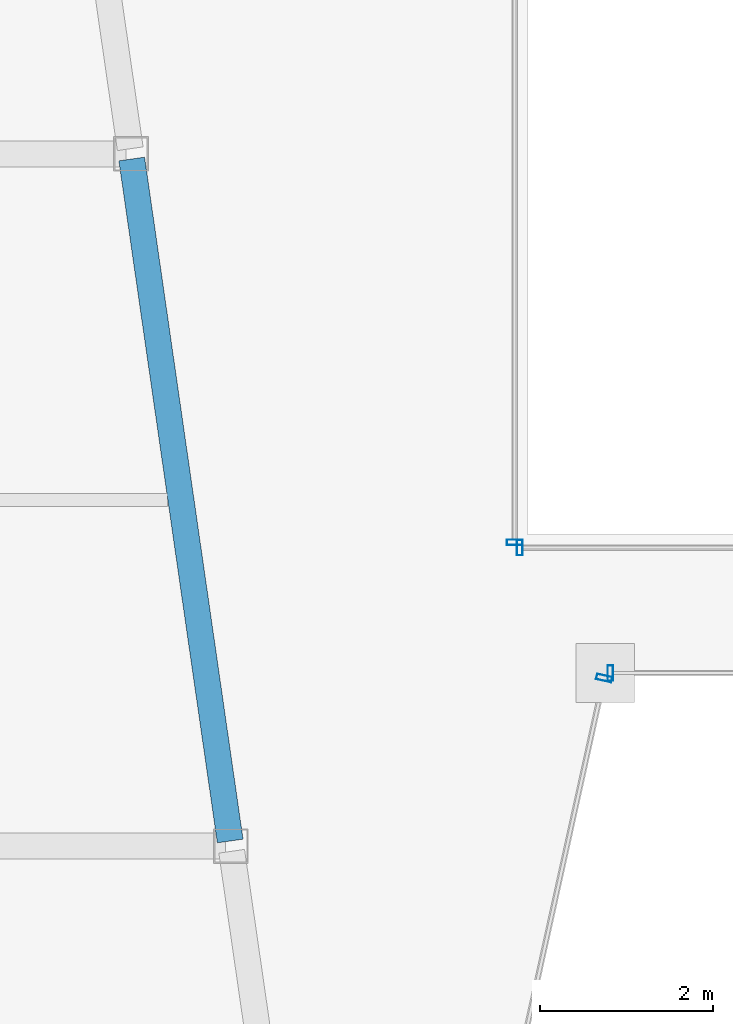
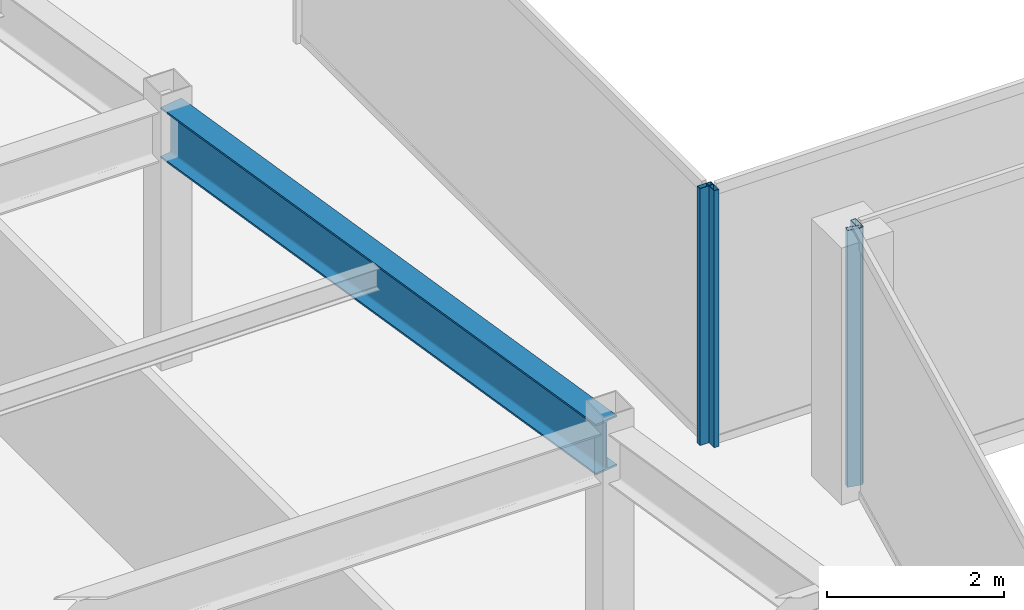
# One storey, part 7 of 36: 4 members, 1 beam, 4 elements without a shape of their own.
"""IFC4 building model written with IfcOpenShell, lengths in metres."""

from ifc_helpers import new_model, si_unit, direction, frame, origin, origin_2d, place, context, subcontext, project, spatial, hollow_rectangle, i_section, extrude, material, material_profile, profile_set, type_object, element, aggregate, save


model = new_model("IFC4")

# Units and contexts
model_context = context("Model", 3, precision=1e-05, world=origin(), true_north=direction((0.0, 1.0)))
body_context = subcontext(model_context, "Body", "Model", "MODEL_VIEW")
ifc_project = project(units=[si_unit("LENGTHUNIT", "METRE"), si_unit("AREAUNIT", "SQUARE_METRE"), si_unit("VOLUMEUNIT", "CUBIC_METRE"), si_unit("PLANEANGLEUNIT", "RADIAN"), si_unit("MASSUNIT", "GRAM", prefix="KILO")], contexts=[model_context])

# Site, building, storey
site_placement = place(None, origin())
site = spatial("IfcSite", under=ifc_project, at=site_placement, CompositionType="ELEMENT")
building_placement = place(site_placement, origin())
building = spatial("IfcBuilding", under=site, at=building_placement, Name="Saevonmaru Cultural Tower", CompositionType="ELEMENT")
storey_placement = place(building_placement, frame((0.0, 0.0, 201.800048828125)))
storey = spatial("IfcBuildingStorey", under=building, at=storey_placement, Name="L46", CompositionType="ELEMENT", Elevation=201.800048828125)

# Beam
ifc_material_1 = material(Name="Steel SM355", Category="steel")
ifc_material_profile_1 = material_profile(ifc_material_1, i_section(OverallWidth=0.300048828125, OverallDepth=0.699951171875, WebThickness=0.012939453125, FlangeThickness=0.02392578125, FilletRadius=0.02587890625, at=origin_2d()), Name="H-700x300x13x24")
ifc_profile_set_1 = profile_set([ifc_material_profile_1], Name="Steel SM355")
beam_type = type_object("IfcBeamType", Name="BM-G-H700", PredefinedType="BEAM", material=ifc_profile_set_1)
beam_placement = place(storey_placement, frame((20.763427734375, 24.059326171875, 3.199951171875), z_axis=(-0.142902032203, 0.989736838353, 0.0), x_axis=(-0.989736838353, -0.142902032203, 0.0)))
element("IfcBeam", 1, at=beam_placement, inside=storey, type_object=beam_type, Name="L46 West Atrium Girder 2", PredefinedType="BEAM", context=body_context, shape_type="SweptSolid", body=[
    extrude(i_section(OverallWidth=0.300048828125, OverallDepth=0.699951171875, WebThickness=0.012939453125, FlangeThickness=0.02392578125, FilletRadius=0.02587890625, at=origin_2d()), origin(), (0.0, 0.0, 1.0), 7.963134765625),
])

# Curtain wall, member
ifc_material_2 = material(Name="Satin Bronze Anodised Aluminium", Category="aluminium")
curtain_wall_type_1 = type_object("IfcCurtainWallType", Name="CW-TYP-B", PredefinedType="NOTDEFINED", material=ifc_material_2)
curtain_wall_1_placement = place(storey_placement, origin())
curtain_wall_1 = element("IfcCurtainWall", 2, at=curtain_wall_1_placement, inside=storey, type_object=curtain_wall_type_1, Name="L46 Unitised Curtain Wall E3", PredefinedType="NOTDEFINED")
ifc_material_profile_2 = material_profile(ifc_material_2, hollow_rectangle(XDim=0.06494140625, YDim=0.179931640625, WallThickness=0.00390625, at=origin_2d()), Name="ALU-MULL-180x65x4")
ifc_profile_set_2 = profile_set([ifc_material_profile_2], Name="Satin Bronze Anodised Aluminium")
member_type_1 = type_object("IfcMemberType", Name="ML-CW-180x65", PredefinedType="MULLION", material=ifc_profile_set_2)
member_1_placement = place(storey_placement, frame((25.0849609375, 25.94140625, 0.0), z_axis=(0.0, 0.0, 1.0), x_axis=(0.215413319953, 0.976522965212, 0.0)))
member_1 = element("IfcMember", 3, at=member_1_placement, type_object=member_type_1, Name="CW-TW-L46-E3 mullion 2", PredefinedType="MULLION", context=body_context, shape_type="SweptSolid", body=[
    extrude(hollow_rectangle(XDim=0.06494140625, YDim=0.179931640625, WallThickness=0.00390625, at=origin_2d()), origin(), (0.0, 0.0, 1.0), 3.550048828125),
])
aggregate(curtain_wall_1, [member_1])

curtain_wall_2_placement = place(storey_placement, origin())
curtain_wall_2 = element("IfcCurtainWall", 4, at=curtain_wall_2_placement, inside=storey, type_object=curtain_wall_type_1, Name="L46 Unitised Curtain Wall E4", PredefinedType="NOTDEFINED")
member_2_placement = place(storey_placement, frame((25.15771484375, 26.0, 0.0), z_axis=(0.0, 0.0, 1.0), x_axis=(1.0, 0.0, 0.0)))
member_2 = element("IfcMember", 5, at=member_2_placement, type_object=member_type_1, Name="CW-TW-L46-E4 mullion 1", PredefinedType="MULLION", context=body_context, shape_type="SweptSolid", body=[
    extrude(hollow_rectangle(XDim=0.06494140625, YDim=0.179931640625, WallThickness=0.00390625, at=origin_2d()), origin(), (0.0, 0.0, 1.0), 3.550048828125),
])
aggregate(curtain_wall_2, [member_2])

curtain_wall_type_2 = type_object("IfcCurtainWallType", Name="CW-ATR-GLZ", PredefinedType="NOTDEFINED", material=ifc_material_2)
curtain_wall_3_placement = place(storey_placement, origin())
curtain_wall_3 = element("IfcCurtainWall", 6, at=curtain_wall_3_placement, inside=storey, type_object=curtain_wall_type_2, Name="L46 Vertical Atrium Glazed Smoke Screen 1", PredefinedType="NOTDEFINED")
ifc_material_profile_3 = material_profile(ifc_material_2, hollow_rectangle(XDim=0.06494140625, YDim=0.179931640625, WallThickness=0.00390625, at=origin_2d()), Name="ALU-MULL-180x65x4")
ifc_profile_set_3 = profile_set([ifc_material_profile_3], Name="Satin Bronze Anodised Aluminium")
member_type_2 = type_object("IfcMemberType", Name="ML-CW-INT-180x65", PredefinedType="MULLION", material=ifc_profile_set_3)
member_3_placement = place(storey_placement, frame((24.110107421875, 27.449951171875, 0.0), z_axis=(0.0, 0.0, 1.0), x_axis=(1.0, 0.0, 0.0)))
member_3 = element("IfcMember", 7, at=member_3_placement, type_object=member_type_2, Name="CW-ATR-L46-1 mullion 1", PredefinedType="MULLION", context=body_context, shape_type="SweptSolid", body=[
    extrude(hollow_rectangle(XDim=0.06494140625, YDim=0.179931640625, WallThickness=0.00390625, at=origin_2d()), origin(), (0.0, 0.0, 1.0), 3.550048828125),
])
aggregate(curtain_wall_3, [member_3])

curtain_wall_4_placement = place(storey_placement, origin())
curtain_wall_4 = element("IfcCurtainWall", 8, at=curtain_wall_4_placement, inside=storey, type_object=curtain_wall_type_2, Name="L46 Vertical Atrium Glazed Smoke Screen 4", PredefinedType="NOTDEFINED")
member_4_placement = place(storey_placement, frame((24.050048828125, 27.510009765625, 0.0), z_axis=(0.0, 0.0, 1.0), x_axis=(0.0, -1.0, 0.0)))
member_4 = element("IfcMember", 9, at=member_4_placement, type_object=member_type_2, Name="CW-ATR-L46-4 mullion 2", PredefinedType="MULLION", context=body_context, shape_type="SweptSolid", body=[
    extrude(hollow_rectangle(XDim=0.06494140625, YDim=0.179931640625, WallThickness=0.00390625, at=origin_2d()), origin(), (0.0, 0.0, 1.0), 3.550048828125),
])
aggregate(curtain_wall_4, [member_4])

save(model, "model.ifc")
